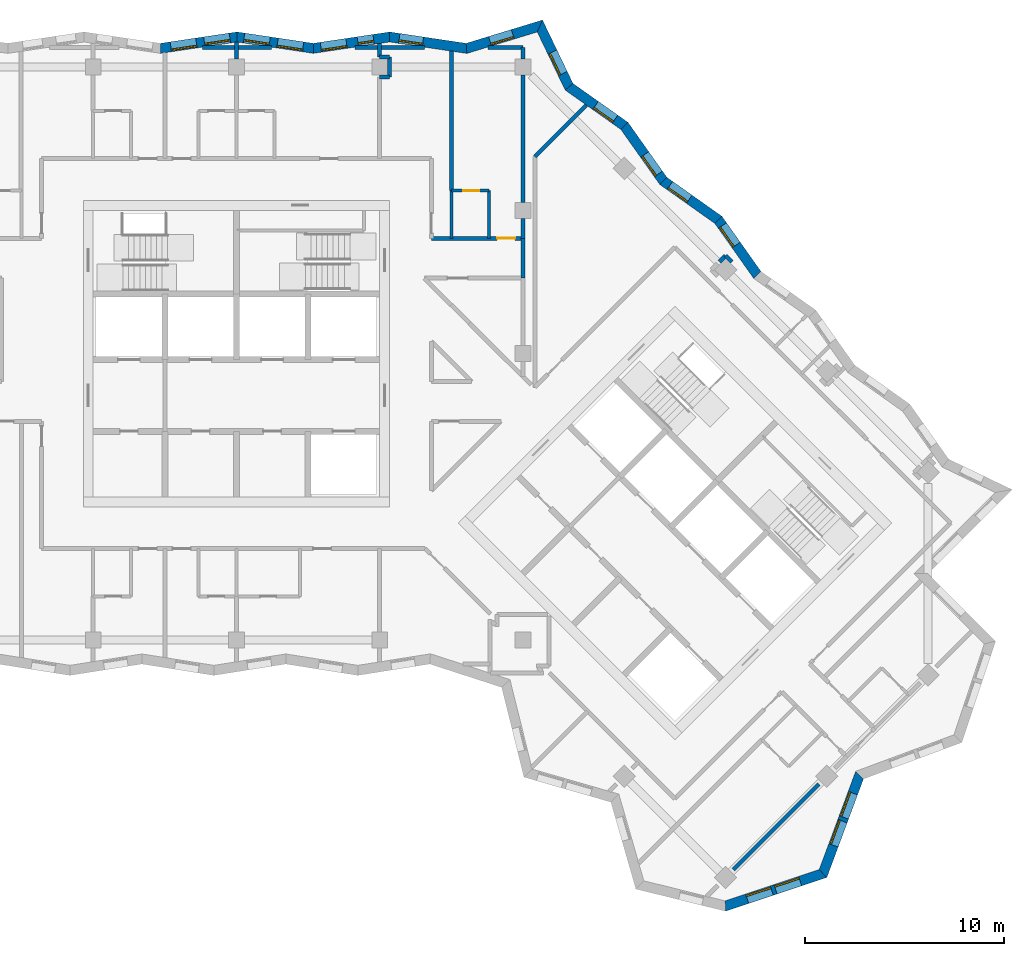
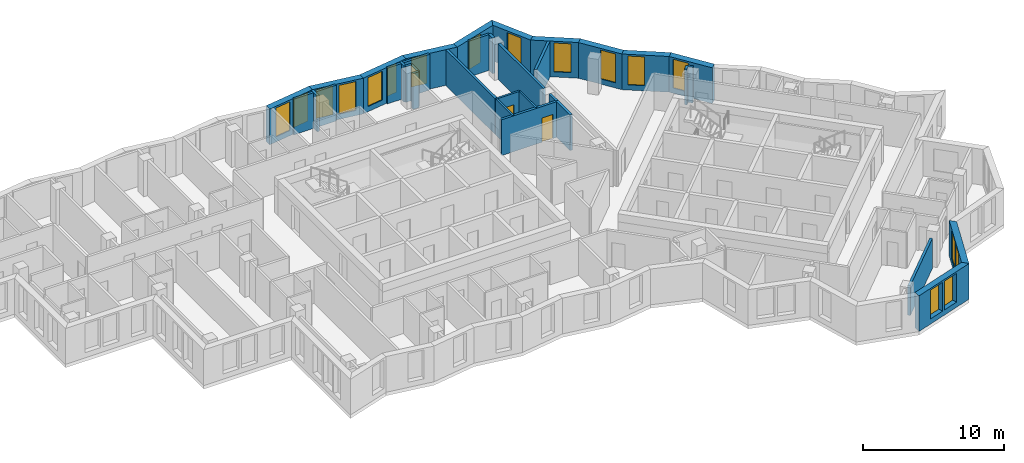
# One storey, part 8 of 13: 33 walls, 17 windows, 2 doors, 19 openings.
"""IFC4 building model written with IfcOpenShell, lengths in metres."""

from ifc_helpers import new_model, si_unit, direction, frame, frame_2d, origin, place, context, subcontext, project, spatial, polyline, rectangle, outline, extrude, material, layer, layer_set, type_object, element, fill, save


model = new_model("IFC4")

# Units and contexts
model_context = context("Model", 3, precision=1e-05, world=origin(), true_north=direction((0.0, 1.0)))
body_context = subcontext(model_context, "Body", "Model", "MODEL_VIEW")
ifc_project = project(units=[si_unit("LENGTHUNIT", "METRE"), si_unit("AREAUNIT", "SQUARE_METRE"), si_unit("VOLUMEUNIT", "CUBIC_METRE"), si_unit("PLANEANGLEUNIT", "RADIAN"), si_unit("MASSUNIT", "GRAM", prefix="KILO")], contexts=[model_context])

# Site, building, storey
site_placement = place(None, origin())
site = spatial("IfcSite", under=ifc_project, at=site_placement, CompositionType="ELEMENT")
building_placement = place(site_placement, origin())
building = spatial("IfcBuilding", under=site, at=building_placement, Name="Windrow Commons", CompositionType="ELEMENT")
storey_placement = place(building_placement, frame((0.0, 0.0, 220.2)))
storey = spatial("IfcBuildingStorey", under=building, at=storey_placement, Name="L60", CompositionType="ELEMENT", Elevation=220.2)

# Wall, openings, windows
ifc_material_1 = material(Name="Brick masonry, red clay brick", Category="masonry")
ifc_layer_1 = layer(ifc_material_1, 0.5)
ifc_layer_set_1 = layer_set([ifc_layer_1], Name="Brick facade wall 500")
wall_type_1 = type_object("IfcWallType", Name="Brick facade wall 500", PredefinedType="SOLIDWALL", material=ifc_layer_set_1)
wall_1_placement = place(storey_placement, frame((89.372, 29.8337, 0.0), z_axis=(0.0, 0.0, 1.0), x_axis=(0.9486871632, 0.3162161702, 0.0)))
wall_1 = element("IfcWall", 1, at=wall_1_placement, inside=storey, type_object=wall_type_1, Name="Brick facade wall L60 1", PredefinedType="SOLIDWALL", context=body_context, shape_type="SweptSolid", body=[
    extrude(outline(polyline([(-0.0725, -0.25), (5.2941, -0.25), (5.0546, 0.25), (0.0725, 0.25), (-0.0725, -0.25)])), origin(), (0.0, 0.0, 1.0), 3.1),
])
opening_1_placement = place(wall_1_placement, frame((1.1593, 0.0, 0.45)))
opening_1 = element("IfcOpeningElement", 2, at=opening_1_placement, cuts=wall_1, Name="Opening W1Q", PredefinedType="OPENING", context=body_context, shape_type="SweptSolid", body=[
    extrude(rectangle(XDim=1.3, YDim=2.5, at=frame_2d((0.65, 1.25))), frame((0.0, 0.26, 0.0), z_axis=(0.0, -1.0, 0.0), x_axis=(1.0, 0.0, 0.0)), (0.0, 0.0, 1.0), 0.52),
])
opening_2_placement = place(wall_1_placement, frame((2.6593, 0.0, 0.45)))
opening_2 = element("IfcOpeningElement", 3, at=opening_2_placement, cuts=wall_1, Name="Opening W1Q", PredefinedType="OPENING", context=body_context, shape_type="SweptSolid", body=[
    extrude(rectangle(XDim=1.3, YDim=2.5, at=frame_2d((0.65, 1.25))), frame((0.0, 0.26, 0.0), z_axis=(0.0, -1.0, 0.0), x_axis=(1.0, 0.0, 0.0)), (0.0, 0.0, 1.0), 0.52),
])
ifc_material_2 = material(Name="Clear float glass in anodised aluminium frame", Category="aluminium")
window_type_1 = type_object("IfcWindowType", Name="Window W1Q pair 1300x2500", PartitioningType="SINGLE_PANEL", PredefinedType="WINDOW", material=ifc_material_2)
window_1_placement = place(opening_1_placement, origin())
window_1 = element("IfcWindow", 4, at=window_1_placement, inside=storey, type_object=window_type_1, Name="Window L60 1.1A", OverallHeight=2.5, OverallWidth=1.3, PartitioningType="SINGLE_PANEL", PredefinedType="WINDOW", context=body_context, shape_type="SweptSolid", body=[
    extrude(rectangle(XDim=1.3, YDim=2.5, at=frame_2d((0.65, 1.25))), frame((0.0, 0.18, 0.0), z_axis=(0.0, -1.0, 0.0), x_axis=(1.0, 0.0, 0.0)), (0.0, 0.0, 1.0), 0.06),
])
fill(opening_1, window_1)
window_2_placement = place(opening_2_placement, origin())
window_2 = element("IfcWindow", 5, at=window_2_placement, inside=storey, type_object=window_type_1, Name="Window L60 1.1B", OverallHeight=2.5, OverallWidth=1.3, PartitioningType="SINGLE_PANEL", PredefinedType="WINDOW", context=body_context, shape_type="SweptSolid", body=[
    extrude(rectangle(XDim=1.3, YDim=2.5, at=frame_2d((0.65, 1.25))), frame((0.0, 0.18, 0.0), z_axis=(0.0, -1.0, 0.0), x_axis=(1.0, 0.0, 0.0)), (0.0, 0.0, 1.0), 0.06),
])
fill(opening_2, window_2)

wall_2_placement = place(storey_placement, frame((94.2808, 31.4699, 0.0), z_axis=(0.0, 0.0, 1.0), x_axis=(0.3481903374, 0.9374238577, 0.0)))
wall_2 = element("IfcWall", 6, at=wall_2_placement, inside=storey, type_object=wall_type_1, Name="Brick facade wall L60 2", PredefinedType="SOLIDWALL", context=body_context, shape_type="SweptSolid", body=[
    extrude(outline(polyline([(-0.1197, -0.25), (5.1604, -0.25), (5.3896, 0.25), (0.1197, 0.25), (-0.1197, -0.25)])), origin(), (0.0, 0.0, 1.0), 3.1),
])
opening_3_placement = place(wall_2_placement, frame((1.5123, 0.0, 0.45)))
opening_3 = element("IfcOpeningElement", 7, at=opening_3_placement, cuts=wall_2, Name="Opening W1Q", PredefinedType="OPENING", context=body_context, shape_type="SweptSolid", body=[
    extrude(rectangle(XDim=1.3, YDim=2.5, at=frame_2d((0.65, 1.25))), frame((0.0, 0.26, 0.0), z_axis=(0.0, -1.0, 0.0), x_axis=(1.0, 0.0, 0.0)), (0.0, 0.0, 1.0), 0.52),
])
opening_4_placement = place(wall_2_placement, frame((3.0123, 0.0, 0.45)))
opening_4 = element("IfcOpeningElement", 8, at=opening_4_placement, cuts=wall_2, Name="Opening W1Q", PredefinedType="OPENING", context=body_context, shape_type="SweptSolid", body=[
    extrude(rectangle(XDim=1.3, YDim=2.5, at=frame_2d((0.65, 1.25))), frame((0.0, 0.26, 0.0), z_axis=(0.0, -1.0, 0.0), x_axis=(1.0, 0.0, 0.0)), (0.0, 0.0, 1.0), 0.52),
])
window_3_placement = place(opening_3_placement, origin())
window_3 = element("IfcWindow", 9, at=window_3_placement, inside=storey, type_object=window_type_1, Name="Window L60 2.1A", OverallHeight=2.5, OverallWidth=1.3, PartitioningType="SINGLE_PANEL", PredefinedType="WINDOW", context=body_context, shape_type="SweptSolid", body=[
    extrude(rectangle(XDim=1.3, YDim=2.5, at=frame_2d((0.65, 1.25))), frame((0.0, 0.18, 0.0), z_axis=(0.0, -1.0, 0.0), x_axis=(1.0, 0.0, 0.0)), (0.0, 0.0, 1.0), 0.06),
])
fill(opening_3, window_3)
window_4_placement = place(opening_4_placement, origin())
window_4 = element("IfcWindow", 10, at=window_4_placement, inside=storey, type_object=window_type_1, Name="Window L60 2.1B", OverallHeight=2.5, OverallWidth=1.3, PartitioningType="SINGLE_PANEL", PredefinedType="WINDOW", context=body_context, shape_type="SweptSolid", body=[
    extrude(rectangle(XDim=1.3, YDim=2.5, at=frame_2d((0.65, 1.25))), frame((0.0, 0.18, 0.0), z_axis=(0.0, -1.0, 0.0), x_axis=(1.0, 0.0, 0.0)), (0.0, 0.0, 1.0), 0.06),
])
fill(opening_4, window_4)

# Wall, opening, window
wall_3_placement = place(storey_placement, frame((90.977, 61.5614, 0.0), z_axis=(0.0, 0.0, 1.0), x_axis=(-0.5775371961, 0.8163643715, 0.0)))
wall_3 = element("IfcWall", 11, at=wall_3_placement, inside=storey, type_object=wall_type_1, Name="Brick facade wall L60 12", PredefinedType="SOLIDWALL", context=body_context, shape_type="SweptSolid", body=[
    extrude(outline(polyline([(0.0428, -0.25), (3.4297, -0.25), (3.3441, 0.25), (-0.0428, 0.25), (0.0428, -0.25)])), origin(), (0.0, 0.0, 1.0), 3.1),
])
opening_5_placement = place(wall_3_placement, frame((1.8359, 0.0, 0.45)))
opening_5 = element("IfcOpeningElement", 12, at=opening_5_placement, cuts=wall_3, Name="Opening W7E", PredefinedType="OPENING", context=body_context, shape_type="SweptSolid", body=[
    extrude(rectangle(XDim=1.2, YDim=2.5, at=frame_2d((0.6, 1.25))), frame((0.0, 0.26, 0.0), z_axis=(0.0, -1.0, 0.0), x_axis=(1.0, 0.0, 0.0)), (0.0, 0.0, 1.0), 0.52),
])
ifc_material_3 = material(Name="Clear float glass in anodised aluminium frame", Category="aluminium")
window_type_2 = type_object("IfcWindowType", Name="Window W7 notch 1200x2500", PartitioningType="SINGLE_PANEL", PredefinedType="WINDOW", material=ifc_material_3)
window_5_placement = place(opening_5_placement, origin())
window_5 = element("IfcWindow", 13, at=window_5_placement, inside=storey, type_object=window_type_2, Name="Window L60 12.1", OverallHeight=2.5, OverallWidth=1.2, PartitioningType="SINGLE_PANEL", PredefinedType="WINDOW", context=body_context, shape_type="SweptSolid", body=[
    extrude(rectangle(XDim=1.2, YDim=2.5, at=frame_2d((0.6, 1.25))), frame((0.0, 0.18, 0.0), z_axis=(0.0, -1.0, 0.0), x_axis=(1.0, 0.0, 0.0)), (0.0, 0.0, 1.0), 0.06),
])
fill(opening_5, window_5)

wall_4_placement = place(storey_placement, frame((89.0209, 64.3264, 0.0), z_axis=(0.0, 0.0, 1.0), x_axis=(-0.8163684441, 0.5775314394, 0.0)))
wall_4 = element("IfcWall", 14, at=wall_4_placement, inside=storey, type_object=wall_type_1, Name="Brick facade wall L60 13", PredefinedType="SOLIDWALL", context=body_context, shape_type="SweptSolid", body=[
    extrude(outline(polyline([(-0.0428, -0.25), (3.3441, -0.25), (3.4297, 0.25), (0.0428, 0.25), (-0.0428, -0.25)])), origin(), (0.0, 0.0, 1.0), 3.1),
])
opening_6_placement = place(wall_4_placement, frame((1.7901, 0.0, 0.45)))
opening_6 = element("IfcOpeningElement", 15, at=opening_6_placement, cuts=wall_4, Name="Opening W7E", PredefinedType="OPENING", context=body_context, shape_type="SweptSolid", body=[
    extrude(rectangle(XDim=1.2, YDim=2.5, at=frame_2d((0.6, 1.25))), frame((0.0, 0.26, 0.0), z_axis=(0.0, -1.0, 0.0), x_axis=(1.0, 0.0, 0.0)), (0.0, 0.0, 1.0), 0.52),
])
window_6_placement = place(opening_6_placement, origin())
window_6 = element("IfcWindow", 16, at=window_6_placement, inside=storey, type_object=window_type_2, Name="Window L60 13.1", OverallHeight=2.5, OverallWidth=1.2, PartitioningType="SINGLE_PANEL", PredefinedType="WINDOW", context=body_context, shape_type="SweptSolid", body=[
    extrude(rectangle(XDim=1.2, YDim=2.5, at=frame_2d((0.6, 1.25))), frame((0.0, 0.18, 0.0), z_axis=(0.0, -1.0, 0.0), x_axis=(1.0, 0.0, 0.0)), (0.0, 0.0, 1.0), 0.06),
])
fill(opening_6, window_6)

wall_5_placement = place(storey_placement, frame((86.256, 66.2824, 0.0), z_axis=(0.0, 0.0, 1.0), x_axis=(-0.5775371961, 0.8163643715, 0.0)))
wall_5 = element("IfcWall", 17, at=wall_5_placement, inside=storey, type_object=wall_type_1, Name="Brick facade wall L60 14", PredefinedType="SOLIDWALL", context=body_context, shape_type="SweptSolid", body=[
    extrude(outline(polyline([(0.0428, -0.25), (3.4297, -0.25), (3.3441, 0.25), (-0.0428, 0.25), (0.0428, -0.25)])), origin(), (0.0, 0.0, 1.0), 3.1),
])
opening_7_placement = place(wall_5_placement, frame((0.4295, 0.0, 0.45)))
opening_7 = element("IfcOpeningElement", 18, at=opening_7_placement, cuts=wall_5, Name="Opening W7E", PredefinedType="OPENING", context=body_context, shape_type="SweptSolid", body=[
    extrude(rectangle(XDim=1.2, YDim=2.5, at=frame_2d((0.6, 1.25))), frame((0.0, 0.26, 0.0), z_axis=(0.0, -1.0, 0.0), x_axis=(1.0, 0.0, 0.0)), (0.0, 0.0, 1.0), 0.52),
])
window_7_placement = place(opening_7_placement, origin())
window_7 = element("IfcWindow", 19, at=window_7_placement, inside=storey, type_object=window_type_2, Name="Window L60 14.1", OverallHeight=2.5, OverallWidth=1.2, PartitioningType="SINGLE_PANEL", PredefinedType="WINDOW", context=body_context, shape_type="SweptSolid", body=[
    extrude(rectangle(XDim=1.2, YDim=2.5, at=frame_2d((0.6, 1.25))), frame((0.0, 0.18, 0.0), z_axis=(0.0, -1.0, 0.0), x_axis=(1.0, 0.0, 0.0)), (0.0, 0.0, 1.0), 0.06),
])
fill(opening_7, window_7)

wall_6_placement = place(storey_placement, frame((84.2999, 69.0474, 0.0), z_axis=(0.0, 0.0, 1.0), x_axis=(-0.8163731348, 0.5775248088, 0.0)))
wall_6 = element("IfcWall", 20, at=wall_6_placement, inside=storey, type_object=wall_type_1, Name="Brick facade wall L60 15", PredefinedType="SOLIDWALL", context=body_context, shape_type="SweptSolid", body=[
    extrude(outline(polyline([(-0.0428, -0.25), (3.3441, -0.25), (3.4737, 0.25), (0.0428, 0.25), (-0.0428, -0.25)])), origin(), (0.0, 0.0, 1.0), 3.1),
])
opening_8_placement = place(wall_6_placement, frame((0.5837, 0.0, 0.45)))
opening_8 = element("IfcOpeningElement", 21, at=opening_8_placement, cuts=wall_6, Name="Opening W7E", PredefinedType="OPENING", context=body_context, shape_type="SweptSolid", body=[
    extrude(rectangle(XDim=1.2, YDim=2.5, at=frame_2d((0.6, 1.25))), frame((0.0, 0.26, 0.0), z_axis=(0.0, -1.0, 0.0), x_axis=(1.0, 0.0, 0.0)), (0.0, 0.0, 1.0), 0.52),
])
window_8_placement = place(opening_8_placement, origin())
window_8 = element("IfcWindow", 22, at=window_8_placement, inside=storey, type_object=window_type_2, Name="Window L60 15.1", OverallHeight=2.5, OverallWidth=1.2, PartitioningType="SINGLE_PANEL", PredefinedType="WINDOW", context=body_context, shape_type="SweptSolid", body=[
    extrude(rectangle(XDim=1.2, YDim=2.5, at=frame_2d((0.6, 1.25))), frame((0.0, 0.18, 0.0), z_axis=(0.0, -1.0, 0.0), x_axis=(1.0, 0.0, 0.0)), (0.0, 0.0, 1.0), 0.06),
])
fill(opening_8, window_8)

wall_7_placement = place(storey_placement, frame((81.517, 71.0161, 0.0), z_axis=(0.0, 0.0, 1.0), x_axis=(-0.4329306404, 0.9014272353, 0.0)))
wall_7 = element("IfcWall", 23, at=wall_7_placement, inside=storey, type_object=wall_type_1, Name="Brick facade wall L60 16", PredefinedType="SOLIDWALL", context=body_context, shape_type="SweptSolid", body=[
    extrude(outline(polyline([(0.0648, -0.25), (3.6028, -0.25), (3.1734, 0.25), (-0.0648, 0.25), (0.0648, -0.25)])), origin(), (0.0, 0.0, 1.0), 3.1),
])
opening_9_placement = place(wall_7_placement, frame((0.7369, 0.0, 0.45)))
opening_9 = element("IfcOpeningElement", 24, at=opening_9_placement, cuts=wall_7, Name="Opening W7E", PredefinedType="OPENING", context=body_context, shape_type="SweptSolid", body=[
    extrude(rectangle(XDim=1.2, YDim=2.5, at=frame_2d((0.6, 1.25))), frame((0.0, 0.26, 0.0), z_axis=(0.0, -1.0, 0.0), x_axis=(1.0, 0.0, 0.0)), (0.0, 0.0, 1.0), 0.52),
])
window_9_placement = place(opening_9_placement, origin())
window_9 = element("IfcWindow", 25, at=window_9_placement, inside=storey, type_object=window_type_2, Name="Window L60 16.1", OverallHeight=2.5, OverallWidth=1.2, PartitioningType="SINGLE_PANEL", PredefinedType="WINDOW", context=body_context, shape_type="SweptSolid", body=[
    extrude(rectangle(XDim=1.2, YDim=2.5, at=frame_2d((0.6, 1.25))), frame((0.0, 0.18, 0.0), z_axis=(0.0, -1.0, 0.0), x_axis=(1.0, 0.0, 0.0)), (0.0, 0.0, 1.0), 0.06),
])
fill(opening_9, window_9)

wall_8_placement = place(storey_placement, frame((80.0502, 74.0702, 0.0), z_axis=(0.0, 0.0, 1.0), x_axis=(-0.9564370844, -0.2919385271, 0.0)))
wall_8 = element("IfcWall", 26, at=wall_8_placement, inside=storey, type_object=wall_type_1, Name="Brick facade wall L60 17", PredefinedType="SOLIDWALL", context=body_context, shape_type="SweptSolid", body=[
    extrude(outline(polyline([(-0.2147, -0.25), (3.7998, -0.25), (3.9127, 0.25), (0.2147, 0.25), (-0.2147, -0.25)])), origin(), (0.0, 0.0, 1.0), 3.1),
])
opening_10_placement = place(wall_8_placement, frame((1.4226, 0.0, 0.45)))
opening_10 = element("IfcOpeningElement", 27, at=opening_10_placement, cuts=wall_8, Name="Opening W7E", PredefinedType="OPENING", context=body_context, shape_type="SweptSolid", body=[
    extrude(rectangle(XDim=1.2, YDim=2.5, at=frame_2d((0.6, 1.25))), frame((0.0, 0.26, 0.0), z_axis=(0.0, -1.0, 0.0), x_axis=(1.0, 0.0, 0.0)), (0.0, 0.0, 1.0), 0.52),
])
window_10_placement = place(opening_10_placement, origin())
window_10 = element("IfcWindow", 28, at=window_10_placement, inside=storey, type_object=window_type_2, Name="Window L60 17.1", OverallHeight=2.5, OverallWidth=1.2, PartitioningType="SINGLE_PANEL", PredefinedType="WINDOW", context=body_context, shape_type="SweptSolid", body=[
    extrude(rectangle(XDim=1.2, YDim=2.5, at=frame_2d((0.6, 1.25))), frame((0.0, 0.18, 0.0), z_axis=(0.0, -1.0, 0.0), x_axis=(1.0, 0.0, 0.0)), (0.0, 0.0, 1.0), 0.06),
])
fill(opening_10, window_10)

wall_9_placement = place(storey_placement, frame((76.3619, 72.9444, 0.0), z_axis=(0.0, 0.0, 1.0), x_axis=(-0.9890858863, 0.1473401149, 0.0)))
wall_9 = element("IfcWall", 29, at=wall_9_placement, inside=storey, type_object=wall_type_1, Name="Brick facade wall L60 18", PredefinedType="SOLIDWALL", context=body_context, shape_type="SweptSolid", body=[
    extrude(outline(polyline([(0.0564, -0.25), (3.9384, -0.25), (3.8639, 0.25), (-0.0564, 0.25), (0.0564, -0.25)])), origin(), (0.0, 0.0, 1.0), 3.1),
])
opening_11_placement = place(wall_9_placement, frame((2.2171, 0.0, 0.45)))
opening_11 = element("IfcOpeningElement", 30, at=opening_11_placement, cuts=wall_9, Name="Opening W7E", PredefinedType="OPENING", context=body_context, shape_type="SweptSolid", body=[
    extrude(rectangle(XDim=1.2, YDim=2.5, at=frame_2d((0.6, 1.25))), frame((0.0, 0.26, 0.0), z_axis=(0.0, -1.0, 0.0), x_axis=(1.0, 0.0, 0.0)), (0.0, 0.0, 1.0), 0.52),
])
window_11_placement = place(opening_11_placement, origin())
window_11 = element("IfcWindow", 31, at=window_11_placement, inside=storey, type_object=window_type_2, Name="Window L60 18.1", OverallHeight=2.5, OverallWidth=1.2, PartitioningType="SINGLE_PANEL", PredefinedType="WINDOW", context=body_context, shape_type="SweptSolid", body=[
    extrude(rectangle(XDim=1.2, YDim=2.5, at=frame_2d((0.6, 1.25))), frame((0.0, 0.14, 0.0), z_axis=(0.0, -1.0, 0.0), x_axis=(1.0, 0.0, 0.0)), (0.0, 0.0, 1.0), 0.06),
])
fill(opening_11, window_11)

# Wall, openings, windows
wall_10_placement = place(storey_placement, frame((72.5033, 73.5192, 0.0), z_axis=(0.0, 0.0, 1.0), x_axis=(-0.9890847468, -0.1473477641, 0.0)))
wall_10 = element("IfcWall", 32, at=wall_10_placement, inside=storey, type_object=wall_type_1, Name="Brick facade wall L60 19", PredefinedType="SOLIDWALL", context=body_context, shape_type="SweptSolid", body=[
    extrude(outline(polyline([(-0.0372, -0.25), (3.8447, -0.25), (3.9192, 0.25), (0.0372, 0.25), (-0.0372, -0.25)])), origin(), (0.0, 0.0, 1.0), 3.1),
])
opening_12_placement = place(wall_10_placement, frame((2.1954, 0.0, 0.45)))
opening_12 = element("IfcOpeningElement", 33, at=opening_12_placement, cuts=wall_10, Name="Opening W1Q", PredefinedType="OPENING", context=body_context, shape_type="SweptSolid", body=[
    extrude(rectangle(XDim=1.3, YDim=2.5, at=frame_2d((0.65, 1.25))), frame((0.0, 0.26, 0.0), z_axis=(0.0, -1.0, 0.0), x_axis=(1.0, 0.0, 0.0)), (0.0, 0.0, 1.0), 0.52),
])
opening_13_placement = place(wall_10_placement, frame((0.8215, 0.0, 0.45)))
opening_13 = element("IfcOpeningElement", 34, at=opening_13_placement, cuts=wall_10, Name="Opening W1N", PredefinedType="OPENING", context=body_context, shape_type="SweptSolid", body=[
    extrude(rectangle(XDim=0.8, YDim=2.5, at=frame_2d((0.4, 1.25))), frame((0.0, 0.26, 0.0), z_axis=(0.0, -1.0, 0.0), x_axis=(1.0, 0.0, 0.0)), (0.0, 0.0, 1.0), 0.52),
])
ifc_material_4 = material(Name="Clear float glass in anodised aluminium frame", Category="aluminium")
window_type_3 = type_object("IfcWindowType", Name="Window W1N slit 800x2500", PartitioningType="SINGLE_PANEL", PredefinedType="WINDOW", material=ifc_material_4)
window_12_placement = place(opening_13_placement, origin())
window_12 = element("IfcWindow", 35, at=window_12_placement, inside=storey, type_object=window_type_3, Name="Window L60 19.1AA", OverallHeight=2.5, OverallWidth=0.8, PartitioningType="SINGLE_PANEL", PredefinedType="WINDOW", context=body_context, shape_type="SweptSolid", body=[
    extrude(rectangle(XDim=0.8, YDim=2.5, at=frame_2d((0.4, 1.25))), frame((0.0, 0.12, 0.0), z_axis=(0.0, -1.0, 0.0), x_axis=(1.0, 0.0, 0.0)), (0.0, 0.0, 1.0), 0.06),
])
fill(opening_13, window_12)
window_13_placement = place(opening_12_placement, origin())
window_13 = element("IfcWindow", 36, at=window_13_placement, inside=storey, type_object=window_type_1, Name="Window L60 19.1B", OverallHeight=2.5, OverallWidth=1.3, PartitioningType="SINGLE_PANEL", PredefinedType="WINDOW", context=body_context, shape_type="SweptSolid", body=[
    extrude(rectangle(XDim=1.3, YDim=2.5, at=frame_2d((0.65, 1.25))), frame((0.0, 0.18, 0.0), z_axis=(0.0, -1.0, 0.0), x_axis=(1.0, 0.0, 0.0)), (0.0, 0.0, 1.0), 0.06),
])
fill(opening_12, window_13)

wall_11_placement = place(storey_placement, frame((68.6637, 72.9472, 0.0), z_axis=(0.0, 0.0, 1.0), x_axis=(-0.9890847468, 0.1473477641, 0.0)))
wall_11 = element("IfcWall", 37, at=wall_11_placement, inside=storey, type_object=wall_type_1, Name="Brick facade wall L60 20", PredefinedType="SOLIDWALL", context=body_context, shape_type="SweptSolid", body=[
    extrude(outline(polyline([(0.0372, -0.25), (3.9192, -0.25), (3.8447, 0.25), (-0.0372, 0.25), (0.0372, -0.25)])), origin(), (0.0, 0.0, 1.0), 3.1),
])
opening_14_placement = place(wall_11_placement, frame((0.5224, 0.0, 0.45)))
opening_14 = element("IfcOpeningElement", 38, at=opening_14_placement, cuts=wall_11, Name="Opening W1Q", PredefinedType="OPENING", context=body_context, shape_type="SweptSolid", body=[
    extrude(rectangle(XDim=1.3, YDim=2.5, at=frame_2d((0.65, 1.25))), frame((0.0, 0.26, 0.0), z_axis=(0.0, -1.0, 0.0), x_axis=(1.0, 0.0, 0.0)), (0.0, 0.0, 1.0), 0.52),
])
opening_15_placement = place(wall_11_placement, frame((2.2224, 0.0, 0.45)))
opening_15 = element("IfcOpeningElement", 39, at=opening_15_placement, cuts=wall_11, Name="Opening W1Q", PredefinedType="OPENING", context=body_context, shape_type="SweptSolid", body=[
    extrude(rectangle(XDim=1.3, YDim=2.5, at=frame_2d((0.65, 1.25))), frame((0.0, 0.26, 0.0), z_axis=(0.0, -1.0, 0.0), x_axis=(1.0, 0.0, 0.0)), (0.0, 0.0, 1.0), 0.52),
])
window_14_placement = place(opening_14_placement, origin())
window_14 = element("IfcWindow", 40, at=window_14_placement, inside=storey, type_object=window_type_1, Name="Window L60 20.1A", OverallHeight=2.5, OverallWidth=1.3, PartitioningType="SINGLE_PANEL", PredefinedType="WINDOW", context=body_context, shape_type="SweptSolid", body=[
    extrude(rectangle(XDim=1.3, YDim=2.5, at=frame_2d((0.65, 1.25))), frame((0.0, 0.18, 0.0), z_axis=(0.0, -1.0, 0.0), x_axis=(1.0, 0.0, 0.0)), (0.0, 0.0, 1.0), 0.06),
])
fill(opening_14, window_14)
window_15_placement = place(opening_15_placement, origin())
window_15 = element("IfcWindow", 41, at=window_15_placement, inside=storey, type_object=window_type_1, Name="Window L60 20.1B", OverallHeight=2.5, OverallWidth=1.3, PartitioningType="SINGLE_PANEL", PredefinedType="WINDOW", context=body_context, shape_type="SweptSolid", body=[
    extrude(rectangle(XDim=1.3, YDim=2.5, at=frame_2d((0.65, 1.25))), frame((0.0, 0.14, 0.0), z_axis=(0.0, -1.0, 0.0), x_axis=(1.0, 0.0, 0.0)), (0.0, 0.0, 1.0), 0.06),
])
fill(opening_15, window_15)

wall_12_placement = place(storey_placement, frame((64.8241, 73.5192, 0.0), z_axis=(0.0, 0.0, 1.0), x_axis=(-0.9890847468, -0.1473477641, 0.0)))
wall_12 = element("IfcWall", 42, at=wall_12_placement, inside=storey, type_object=wall_type_1, Name="Brick facade wall L60 21", PredefinedType="SOLIDWALL", context=body_context, shape_type="SweptSolid", body=[
    extrude(outline(polyline([(-0.0372, -0.25), (3.8447, -0.25), (3.9192, 0.25), (0.0372, 0.25), (-0.0372, -0.25)])), origin(), (0.0, 0.0, 1.0), 3.1),
])
opening_16_placement = place(wall_12_placement, frame((0.3596, 0.0, 0.45)))
opening_16 = element("IfcOpeningElement", 43, at=opening_16_placement, cuts=wall_12, Name="Opening W1Q", PredefinedType="OPENING", context=body_context, shape_type="SweptSolid", body=[
    extrude(rectangle(XDim=1.3, YDim=2.5, at=frame_2d((0.65, 1.25))), frame((0.0, 0.26, 0.0), z_axis=(0.0, -1.0, 0.0), x_axis=(1.0, 0.0, 0.0)), (0.0, 0.0, 1.0), 0.52),
])
opening_17_placement = place(wall_12_placement, frame((2.0596, 0.0, 0.45)))
opening_17 = element("IfcOpeningElement", 44, at=opening_17_placement, cuts=wall_12, Name="Opening W1Q", PredefinedType="OPENING", context=body_context, shape_type="SweptSolid", body=[
    extrude(rectangle(XDim=1.3, YDim=2.5, at=frame_2d((0.65, 1.25))), frame((0.0, 0.26, 0.0), z_axis=(0.0, -1.0, 0.0), x_axis=(1.0, 0.0, 0.0)), (0.0, 0.0, 1.0), 0.52),
])
window_16_placement = place(opening_16_placement, origin())
window_16 = element("IfcWindow", 45, at=window_16_placement, inside=storey, type_object=window_type_1, Name="Window L60 21.1A", OverallHeight=2.5, OverallWidth=1.3, PartitioningType="SINGLE_PANEL", PredefinedType="WINDOW", context=body_context, shape_type="SweptSolid", body=[
    extrude(rectangle(XDim=1.3, YDim=2.5, at=frame_2d((0.65, 1.25))), frame((0.0, 0.14, 0.0), z_axis=(0.0, -1.0, 0.0), x_axis=(1.0, 0.0, 0.0)), (0.0, 0.0, 1.0), 0.06),
])
fill(opening_16, window_16)
window_17_placement = place(opening_17_placement, origin())
window_17 = element("IfcWindow", 46, at=window_17_placement, inside=storey, type_object=window_type_1, Name="Window L60 21.1B", OverallHeight=2.5, OverallWidth=1.3, PartitioningType="SINGLE_PANEL", PredefinedType="WINDOW", context=body_context, shape_type="SweptSolid", body=[
    extrude(rectangle(XDim=1.3, YDim=2.5, at=frame_2d((0.65, 1.25))), frame((0.0, 0.18, 0.0), z_axis=(0.0, -1.0, 0.0), x_axis=(1.0, 0.0, 0.0)), (0.0, 0.0, 1.0), 0.06),
])
fill(opening_17, window_17)

# Wall, opening, door
ifc_material_5 = material(Name="Blockwork partition", Category="masonry")
ifc_layer_2 = layer(ifc_material_5, 0.2)
ifc_layer_set_2 = layer_set([ifc_layer_2], Name="IW-CORRIDOR-200")
wall_type_2 = type_object("IfcWallType", Name="IW-CORRIDOR-200", PredefinedType="PARTITIONING", material=ifc_layer_set_2)
wall_13_placement = place(storey_placement, frame((74.602, 63.4, 0.0), z_axis=(0.0, 0.0, 1.0), x_axis=(1.0, 0.0, 0.0)))
wall_13 = element("IfcWall", 47, at=wall_13_placement, inside=storey, type_object=wall_type_2, Name="W-L60-W040", PredefinedType="PARTITIONING", context=body_context, shape_type="SweptSolid", body=[
    extrude(rectangle(XDim=4.598, YDim=0.2, at=frame_2d((2.299, 0.0))), origin(), (0.0, 0.0, 1.0), 3.1),
])
opening_18_placement = place(wall_13_placement, frame((3.298, 0.0, 0.0)))
opening_18 = element("IfcOpeningElement", 48, at=opening_18_placement, cuts=wall_13, Name="Opening D109S", PredefinedType="OPENING", context=body_context, shape_type="SweptSolid", body=[
    extrude(rectangle(XDim=0.9, YDim=2.1, at=frame_2d((0.45, 1.05))), frame((0.0, 0.11, 0.0), z_axis=(0.0, -1.0, 0.0), x_axis=(1.0, 0.0, 0.0)), (0.0, 0.0, 1.0), 0.22),
])
ifc_material_6 = material(Name="Timber door leaf", Category="wood")
door_type_1 = type_object("IfcDoorType", Name="DT-BEDROOM-900", OperationType="SINGLE_SWING_LEFT", PredefinedType="DOOR", material=ifc_material_6)
door_1_placement = place(opening_18_placement, origin())
door_1 = element("IfcDoor", 49, at=door_1_placement, inside=storey, type_object=door_type_1, Name="D-L60-D023", OperationType="SINGLE_SWING_LEFT", OverallHeight=2.1, OverallWidth=0.9, PredefinedType="DOOR", context=body_context, shape_type="SweptSolid", body=[
    extrude(rectangle(XDim=0.9, YDim=2.1, at=frame_2d((0.45, 1.05))), frame((0.0, 0.025, 0.0), z_axis=(0.0, -1.0, 0.0), x_axis=(1.0, 0.0, 0.0)), (0.0, 0.0, 1.0), 0.05),
])
fill(opening_18, door_1)

# Walls
wall_14_placement = place(storey_placement, frame((79.2, 61.4, 0.0), z_axis=(0.0, 0.0, 1.0), x_axis=(0.0, 1.0, 0.0)))
element("IfcWall", 50, at=wall_14_placement, inside=storey, type_object=wall_type_2, Name="W-L60-W110", PredefinedType="PARTITIONING", context=body_context, shape_type="SweptSolid", body=[
    extrude(rectangle(XDim=2.0, YDim=0.2, at=frame_2d((1.0, 0.0))), origin(), (0.0, 0.0, 1.0), 3.1),
])
ifc_material_7 = material(Name="Blockwork partition", Category="masonry")
ifc_layer_3 = layer(ifc_material_7, 0.15)
ifc_layer_set_3 = layer_set([ifc_layer_3], Name="IW-ENSUITE-150")
wall_type_3 = type_object("IfcWallType", Name="IW-ENSUITE-150", PredefinedType="PARTITIONING", material=ifc_layer_set_3)
for number, where, z_axis, x_axis, name in (
    (51, (75.6, 63.4, 0.0), (0.0, 0.0, 1.0), (0.0, 1.0, 0.0), "W-L60-W094"),
    (52, (77.5, 63.4, 0.0), (0.0, 0.0, 1.0), (0.0, 1.0, 0.0), "W-L60-W095"),
):
    element("IfcWall", number, at=place(storey_placement, frame(where, z_axis=z_axis, x_axis=x_axis)), inside=storey, type_object=wall_type_3, Name=name, PredefinedType="PARTITIONING", context=body_context, shape_type="SweptSolid", body=[
        extrude(rectangle(XDim=2.4, YDim=0.15, at=frame_2d((1.2, 0.0))), origin(), (0.0, 0.0, 1.0), 3.1),
    ])

# Wall, opening, door
wall_15_placement = place(storey_placement, frame((75.6, 65.8, 0.0), z_axis=(0.0, 0.0, 1.0), x_axis=(1.0, 0.0, 0.0)))
wall_15 = element("IfcWall", 53, at=wall_15_placement, inside=storey, type_object=wall_type_3, Name="W-L60-W117", PredefinedType="PARTITIONING", context=body_context, shape_type="SweptSolid", body=[
    extrude(rectangle(XDim=1.9, YDim=0.15, at=frame_2d((0.95, 0.0))), origin(), (0.0, 0.0, 1.0), 3.1),
])
opening_19_placement = place(wall_15_placement, frame((0.6069, 0.0, 0.0)))
opening_19 = element("IfcOpeningElement", 54, at=opening_19_placement, cuts=wall_15, Name="Opening D208N", PredefinedType="OPENING", context=body_context, shape_type="SweptSolid", body=[
    extrude(rectangle(XDim=0.8, YDim=2.1, at=frame_2d((0.4, 1.05))), frame((0.0, 0.085, 0.0), z_axis=(0.0, -1.0, 0.0), x_axis=(1.0, 0.0, 0.0)), (0.0, 0.0, 1.0), 0.17),
])
ifc_material_8 = material(Name="Timber door leaf", Category="wood")
door_type_2 = type_object("IfcDoorType", Name="DT-ENSUITE-800", OperationType="SINGLE_SWING_LEFT", PredefinedType="DOOR", material=ifc_material_8)
door_2_placement = place(opening_19_placement, origin())
door_2 = element("IfcDoor", 55, at=door_2_placement, inside=storey, type_object=door_type_2, Name="D-L60-D024", OperationType="SINGLE_SWING_RIGHT", OverallHeight=2.1, OverallWidth=0.8, PredefinedType="DOOR", context=body_context, shape_type="SweptSolid", body=[
    extrude(rectangle(XDim=0.8, YDim=2.1, at=frame_2d((0.4, 1.05))), frame((0.0, 0.025, 0.0), z_axis=(0.0, -1.0, 0.0), x_axis=(1.0, 0.0, 0.0)), (0.0, 0.0, 1.0), 0.05),
])
fill(opening_19, door_2)

# Walls
ifc_material_9 = material(Name="Blockwork partition", Category="masonry")
ifc_layer_4 = layer(ifc_material_9, 0.2)
ifc_layer_set_4 = layer_set([ifc_layer_4], Name="IW-PARTY-200")
wall_type_4 = type_object("IfcWallType", Name="IW-PARTY-200", PredefinedType="PARTITIONING", material=ifc_layer_set_4)
wall_16_placement = place(storey_placement, frame((75.6, 65.8, 0.0), z_axis=(0.0, 0.0, 1.0), x_axis=(0.0, 1.0, 0.0)))
element("IfcWall", 56, at=wall_16_placement, inside=storey, type_object=wall_type_4, Name="W-L60-W015", PredefinedType="PARTITIONING", context=body_context, shape_type="SweptSolid", body=[
    extrude(rectangle(XDim=7.0052, YDim=0.2, at=frame_2d((3.5026, 0.0))), origin(), (0.0, 0.0, 1.0), 3.1),
])
wall_17_placement = place(storey_placement, frame((79.2, 65.2, 0.0), z_axis=(0.0, 0.0, 1.0), x_axis=(0.0, 1.0, 0.0)))
element("IfcWall", 57, at=wall_17_placement, inside=storey, type_object=wall_type_4, Name="W-L60-W024", PredefinedType="PARTITIONING", context=body_context, shape_type="SweptSolid", body=[
    extrude(rectangle(XDim=6.4, YDim=0.2, at=frame_2d((3.2, 0.0))), origin(), (0.0, 0.0, 1.0), 3.1),
])
wall_18_placement = place(storey_placement, frame((89.781, 31.671, 0.0), z_axis=(0.0, 0.0, 1.0), x_axis=(0.7071067812, 0.7071067812, 0.0)))
element("IfcWall", 58, at=wall_18_placement, inside=storey, type_object=wall_type_4, Name="W-L60-W026", PredefinedType="PARTITIONING", context=body_context, shape_type="SweptSolid", body=[
    extrude(rectangle(XDim=6.0698, YDim=0.2, at=frame_2d((3.0349, 0.0))), origin(), (0.0, 0.0, 1.0), 2.6),
])
wall_19_placement = place(storey_placement, frame((79.7988, 67.5092, 0.0), z_axis=(0.0, 0.0, 1.0), x_axis=(0.7070931116, 0.7071204505, 0.0)))
element("IfcWall", 59, at=wall_19_placement, inside=storey, type_object=wall_type_4, Name="W-L60-W051", PredefinedType="PARTITIONING", context=body_context, shape_type="SweptSolid", body=[
    extrude(rectangle(XDim=3.6578, YDim=0.2, at=frame_2d((1.8289, 0.0))), origin(), (0.0, 0.0, 1.0), 3.1),
])
for number, where, z_axis, x_axis, name in (
    (60, (70.7645, 73.0, 0.0), (0.0, 0.0, 1.0), (1.0, 0.0, 0.0), "W-L60-W054"),
    (61, (63.0853, 73.0, 0.0), (0.0, 0.0, 1.0), (1.0, 0.0, 0.0), "W-L60-W056"),
):
    element("IfcWall", number, at=place(storey_placement, frame(where, z_axis=z_axis, x_axis=x_axis)), inside=storey, type_object=wall_type_4, Name=name, PredefinedType="PARTITIONING", context=body_context, shape_type="SweptSolid", body=[
        extrude(rectangle(XDim=3.4776, YDim=0.2, at=frame_2d((1.7388, 0.0))), origin(), (0.0, 0.0, 1.0), 3.1),
    ])
wall_20_placement = place(storey_placement, frame((77.4504, 73.0, 0.0), z_axis=(0.0, 0.0, 1.0), x_axis=(1.0, 0.0, 0.0)))
element("IfcWall", 62, at=wall_20_placement, inside=storey, type_object=wall_type_4, Name="W-L60-W131", PredefinedType="PARTITIONING", context=body_context, shape_type="SweptSolid", body=[
    extrude(rectangle(XDim=1.7496, YDim=0.2, at=frame_2d((0.8748, 0.0))), origin(), (0.0, 0.0, 1.0), 3.1),
])
wall_21_placement = place(storey_placement, frame((72.5, 71.496, 0.0), z_axis=(0.0, 0.0, 1.0), x_axis=(0.0, 1.0, 0.0)))
element("IfcWall", 63, at=wall_21_placement, inside=storey, type_object=wall_type_4, Name="W-L60-W138", PredefinedType="PARTITIONING", context=body_context, shape_type="SweptSolid", body=[
    extrude(rectangle(XDim=1.01, YDim=0.2, at=frame_2d((0.505, 0.0))), origin(), (0.0, 0.0, 1.0), 3.1),
])
wall_22_placement = place(storey_placement, frame((79.2, 63.4, 0.0), z_axis=(0.0, 0.0, 1.0), x_axis=(0.0, 1.0, 0.0)))
element("IfcWall", 64, at=wall_22_placement, inside=storey, type_object=wall_type_4, Name="W-L60-W141", PredefinedType="PARTITIONING", context=body_context, shape_type="SweptSolid", body=[
    extrude(rectangle(XDim=1.0, YDim=0.2, at=frame_2d((0.5, 0.0))), origin(), (0.0, 0.0, 1.0), 3.1),
])
wall_23_placement = place(storey_placement, frame((64.8, 72.4, 0.0), z_axis=(0.0, 0.0, 1.0), x_axis=(0.0, 1.0, 0.0)))
element("IfcWall", 65, at=wall_23_placement, inside=storey, type_object=wall_type_4, Name="W-L60-W160", PredefinedType="PARTITIONING", context=body_context, shape_type="SweptSolid", body=[
    extrude(rectangle(XDim=0.8629, YDim=0.2, at=frame_2d((0.4315, 0.0))), origin(), (0.0, 0.0, 1.0), 3.1),
])
wall_24_placement = place(storey_placement, frame((79.2, 72.4, 0.0), z_axis=(0.0, 0.0, 1.0), x_axis=(0.0, 1.0, 0.0)))
element("IfcWall", 66, at=wall_24_placement, inside=storey, type_object=wall_type_4, Name="W-L60-W161", PredefinedType="PARTITIONING", context=body_context, shape_type="SweptSolid", body=[
    extrude(rectangle(XDim=0.6, YDim=0.2, at=frame_2d((0.3, 0.0))), origin(), (0.0, 0.0, 1.0), 3.1),
])
for number, where, z_axis, x_axis, name in (
    (67, (72.0, 71.5, 0.0), (0.0, 0.0, 1.0), (1.0, 0.0, 0.0), "W-L60-W165"),
    (68, (72.0, 72.51, 0.0), (0.0, 0.0, 1.0), (1.0, 0.0, 0.0), "W-L60-W166"),
):
    element("IfcWall", number, at=place(storey_placement, frame(where, z_axis=z_axis, x_axis=x_axis)), inside=storey, type_object=wall_type_4, Name=name, PredefinedType="PARTITIONING", context=body_context, shape_type="SweptSolid", body=[
        extrude(rectangle(XDim=0.5, YDim=0.2, at=frame_2d((0.25, 0.0))), origin(), (0.0, 0.0, 1.0), 3.1),
    ])
wall_25_placement = place(storey_placement, frame((72.0, 72.506, 0.0), z_axis=(0.0, 0.0, 1.0), x_axis=(0.0, 1.0, 0.0)))
element("IfcWall", 69, at=wall_25_placement, inside=storey, type_object=wall_type_4, Name="W-L60-W169", PredefinedType="PARTITIONING", context=body_context, shape_type="SweptSolid", body=[
    extrude(rectangle(XDim=0.6855, YDim=0.2, at=frame_2d((0.3427, 0.0))), origin(), (0.0, 0.0, 1.0), 3.1),
])
for number, where, z_axis, x_axis, name in (
    (70, (89.3864, 62.5284, 0.0), (0.0, 0.0, 1.0), (0.7071067812, -0.7071067812, 0.0), "W-L60-W177"),
    (71, (89.075, 62.219, 0.0), (0.0, 0.0, 1.0), (0.7071067812, 0.7071067812, 0.0), "W-L60-W179"),
):
    element("IfcWall", number, at=place(storey_placement, frame(where, z_axis=z_axis, x_axis=x_axis)), inside=storey, type_object=wall_type_4, Name=name, PredefinedType="PARTITIONING", context=body_context, shape_type="SweptSolid", body=[
        extrude(rectangle(XDim=0.4384, YDim=0.2, at=frame_2d((0.2192, 0.0))), origin(), (0.0, 0.0, 1.0), 3.1),
    ])

save(model, "model.ifc")
